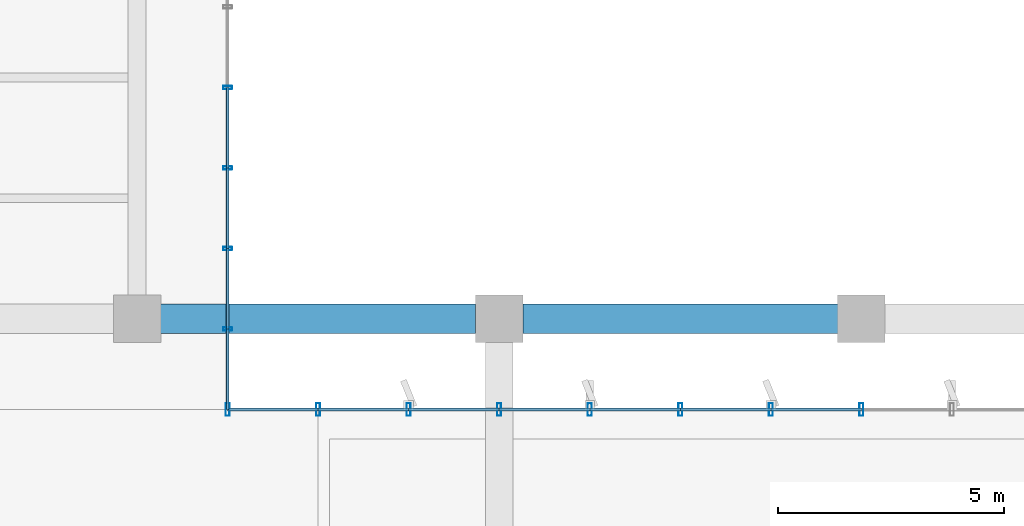
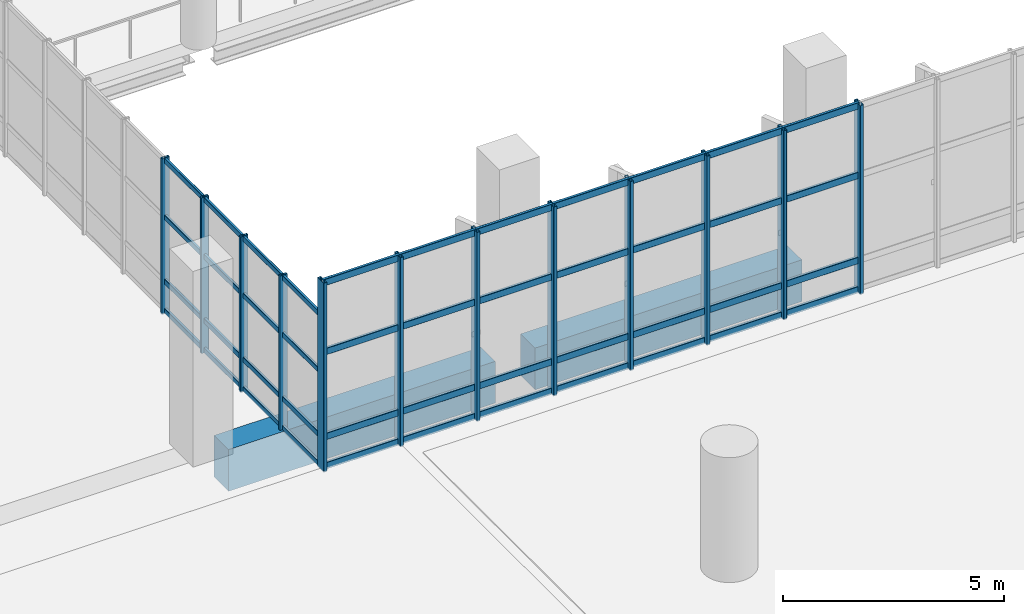
# One storey, part 52 of 176: 56 members, 2 beams, 3 elements without a shape of their own.
"""IFC4 building model written with IfcOpenShell, lengths in metres."""

from ifc_helpers import new_model, si_unit, direction, frame, origin, origin_2d, place, context, subcontext, project, spatial, rectangle, hollow_rectangle, extrude, material, layer, layer_set, material_profile, profile_set, type_object, element, aggregate, save


model = new_model("IFC4")

# Units and contexts
model_context = context("Model", 3, precision=1e-05, world=origin(), true_north=direction((0.0, 1.0)))
body_context = subcontext(model_context, "Body", "Model", "MODEL_VIEW")
ifc_project = project(units=[si_unit("LENGTHUNIT", "METRE"), si_unit("AREAUNIT", "SQUARE_METRE"), si_unit("VOLUMEUNIT", "CUBIC_METRE"), si_unit("PLANEANGLEUNIT", "RADIAN"), si_unit("MASSUNIT", "GRAM", prefix="KILO")], contexts=[model_context])

# Site, building, storey
site_placement = place(None, origin())
site = spatial("IfcSite", under=ifc_project, at=site_placement, CompositionType="ELEMENT")
building_placement = place(site_placement, origin())
building = spatial("IfcBuilding", under=site, at=building_placement, Name="Khorjan Park Terminus", CompositionType="ELEMENT")
storey_placement = place(building_placement, frame((0.0, 0.0, 6.0)))
storey = spatial("IfcBuildingStorey", under=building, at=storey_placement, Name="L01", CompositionType="ELEMENT", Elevation=6.0)

# Curtain wall, members
ifc_material_1 = material(Name="Anodized Bronze Aluminium", Category="aluminium")
ifc_layer_1 = layer(ifc_material_1, 0.22)
ifc_layer_set_1 = layer_set([ifc_layer_1], Name="Anodized Bronze Aluminium")
curtain_wall_type_1 = type_object("IfcCurtainWallType", Name="CW-BRG-D", PredefinedType="NOTDEFINED", material=ifc_layer_set_1)
curtain_wall_1_placement = place(storey_placement, origin())
curtain_wall_1 = element("IfcCurtainWall", 1, at=curtain_wall_1_placement, inside=storey, type_object=curtain_wall_type_1, Name="Unitized curtain wall CW-D (CW-NKW-E-L01)", PredefinedType="NOTDEFINED")
ifc_material_profile_1 = material_profile(ifc_material_1, hollow_rectangle(XDim=0.07, YDim=0.2, WallThickness=0.005, InnerFilletRadius=0.005, OuterFilletRadius=0.01, at=origin_2d()), Name="ALM 70x200x5")
ifc_profile_set_1 = profile_set([ifc_material_profile_1], Name="Anodized Bronze Aluminium")
member_type_1 = type_object("IfcMemberType", Name="ML-ALM-200", PredefinedType="MULLION", material=ifc_profile_set_1)
member_1_placement = place(storey_placement, frame((74.0, 87.7778, -0.035), z_axis=(0.0, 0.0, 1.0), x_axis=(0.0, 1.0, 0.0)))
member_1 = element("IfcMember", 2, at=member_1_placement, type_object=member_type_1, Name="Curtain-wall mullion ML-20 (CW-NKW-E-L01-1)", PredefinedType="MULLION", context=body_context, shape_type="SweptSolid", body=[
    extrude(hollow_rectangle(XDim=0.07, YDim=0.2, WallThickness=0.005, InnerFilletRadius=0.005, OuterFilletRadius=0.01, at=origin_2d()), origin(), (0.0, 0.0, 1.0), 4.295),
])
member_2_placement = place(storey_placement, frame((74.0, 89.5556, -0.035), z_axis=(0.0, 0.0, 1.0), x_axis=(0.0, 1.0, 0.0)))
member_2 = element("IfcMember", 3, at=member_2_placement, type_object=member_type_1, Name="Curtain-wall mullion ML-20 (CW-NKW-E-L01-2)", PredefinedType="MULLION", context=body_context, shape_type="SweptSolid", body=[
    extrude(hollow_rectangle(XDim=0.07, YDim=0.2, WallThickness=0.005, InnerFilletRadius=0.005, OuterFilletRadius=0.01, at=origin_2d()), origin(), (0.0, 0.0, 1.0), 4.295),
])
member_3_placement = place(storey_placement, frame((74.0, 91.3333, -0.035), z_axis=(0.0, 0.0, 1.0), x_axis=(0.0, 1.0, 0.0)))
member_3 = element("IfcMember", 4, at=member_3_placement, type_object=member_type_1, Name="Curtain-wall mullion ML-20 (CW-NKW-E-L01-3)", PredefinedType="MULLION", context=body_context, shape_type="SweptSolid", body=[
    extrude(hollow_rectangle(XDim=0.07, YDim=0.2, WallThickness=0.005, InnerFilletRadius=0.005, OuterFilletRadius=0.01, at=origin_2d()), origin(), (0.0, 0.0, 1.0), 4.295),
])
member_4_placement = place(storey_placement, frame((74.0, 93.1111, -0.035), z_axis=(0.0, 0.0, 1.0), x_axis=(0.0, 1.0, 0.0)))
member_4 = element("IfcMember", 5, at=member_4_placement, type_object=member_type_1, Name="Curtain-wall mullion ML-20 (CW-NKW-E-L01-4)", PredefinedType="MULLION", context=body_context, shape_type="SweptSolid", body=[
    extrude(hollow_rectangle(XDim=0.07, YDim=0.2, WallThickness=0.005, InnerFilletRadius=0.005, OuterFilletRadius=0.01, at=origin_2d()), origin(), (0.0, 0.0, 1.0), 4.295),
])

ifc_layer_2 = layer(ifc_material_1, 0.22)
ifc_layer_set_2 = layer_set([ifc_layer_2], Name="Anodized Bronze Aluminium")
curtain_wall_type_2 = type_object("IfcCurtainWallType", Name="CW-CONC-A", PredefinedType="NOTDEFINED", material=ifc_layer_set_2)
curtain_wall_2_placement = place(storey_placement, origin())
curtain_wall_2 = element("IfcCurtainWall", 6, at=curtain_wall_2_placement, inside=storey, type_object=curtain_wall_type_2, Name="Unitized curtain wall CW-A (CW-V2-N-L01-03)", PredefinedType="NOTDEFINED")
ifc_material_profile_2 = material_profile(ifc_material_1, hollow_rectangle(XDim=0.09, YDim=0.28, WallThickness=0.006, InnerFilletRadius=0.006, OuterFilletRadius=0.012, at=origin_2d()), Name="ALM 90x280x6")
ifc_profile_set_2 = profile_set([ifc_material_profile_2], Name="Anodized Bronze Aluminium")
member_type_2 = type_object("IfcMemberType", Name="ML-ALM-280", PredefinedType="MULLION", material=ifc_profile_set_2)
member_5_placement = place(storey_placement, frame((84.0, 86.0, -0.035), z_axis=(0.0, 0.0, 1.0), x_axis=(-1.0, 0.0, 0.0)))
member_5 = element("IfcMember", 7, at=member_5_placement, type_object=member_type_2, Name="Curtain-wall mullion ML-28 (CW-V2-N-L01-03-0)", PredefinedType="MULLION", context=body_context, shape_type="SweptSolid", body=[
    extrude(hollow_rectangle(XDim=0.09, YDim=0.28, WallThickness=0.006, InnerFilletRadius=0.006, OuterFilletRadius=0.012, at=origin_2d()), origin(), (0.0, 0.0, 1.0), 5.22),
])
member_6_placement = place(storey_placement, frame((82.0, 86.0, -0.035), z_axis=(0.0, 0.0, 1.0), x_axis=(-1.0, 0.0, 0.0)))
member_6 = element("IfcMember", 8, at=member_6_placement, type_object=member_type_2, Name="Curtain-wall mullion ML-28 (CW-V2-N-L01-03-1)", PredefinedType="MULLION", context=body_context, shape_type="SweptSolid", body=[
    extrude(hollow_rectangle(XDim=0.09, YDim=0.28, WallThickness=0.006, InnerFilletRadius=0.006, OuterFilletRadius=0.012, at=origin_2d()), origin(), (0.0, 0.0, 1.0), 5.22),
])
member_7_placement = place(storey_placement, frame((80.0, 86.0, -0.035), z_axis=(0.0, 0.0, 1.0), x_axis=(-1.0, 0.0, 0.0)))
member_7 = element("IfcMember", 9, at=member_7_placement, type_object=member_type_2, Name="Curtain-wall mullion ML-28 (CW-V2-N-L01-03-2)", PredefinedType="MULLION", context=body_context, shape_type="SweptSolid", body=[
    extrude(hollow_rectangle(XDim=0.09, YDim=0.28, WallThickness=0.006, InnerFilletRadius=0.006, OuterFilletRadius=0.012, at=origin_2d()), origin(), (0.0, 0.0, 1.0), 5.22),
])
member_8_placement = place(storey_placement, frame((78.0, 86.0, -0.035), z_axis=(0.0, 0.0, 1.0), x_axis=(-1.0, 0.0, 0.0)))
member_8 = element("IfcMember", 10, at=member_8_placement, type_object=member_type_2, Name="Curtain-wall mullion ML-28 (CW-V2-N-L01-03-3)", PredefinedType="MULLION", context=body_context, shape_type="SweptSolid", body=[
    extrude(hollow_rectangle(XDim=0.09, YDim=0.28, WallThickness=0.006, InnerFilletRadius=0.006, OuterFilletRadius=0.012, at=origin_2d()), origin(), (0.0, 0.0, 1.0), 5.22),
])
member_9_placement = place(storey_placement, frame((76.0, 86.0, -0.035), z_axis=(0.0, 0.0, 1.0), x_axis=(-1.0, 0.0, 0.0)))
member_9 = element("IfcMember", 11, at=member_9_placement, type_object=member_type_2, Name="Curtain-wall mullion ML-28 (CW-V2-N-L01-03-4)", PredefinedType="MULLION", context=body_context, shape_type="SweptSolid", body=[
    extrude(hollow_rectangle(XDim=0.09, YDim=0.28, WallThickness=0.006, InnerFilletRadius=0.006, OuterFilletRadius=0.012, at=origin_2d()), origin(), (0.0, 0.0, 1.0), 5.22),
])
member_10_placement = place(storey_placement, frame((74.0, 86.0, -0.035), z_axis=(0.0, 0.0, 1.0), x_axis=(-1.0, 0.0, 0.0)))
member_10 = element("IfcMember", 12, at=member_10_placement, type_object=member_type_2, Name="Curtain-wall mullion ML-28 (CW-V2-N-L01-03-5)", PredefinedType="MULLION", context=body_context, shape_type="SweptSolid", body=[
    extrude(hollow_rectangle(XDim=0.09, YDim=0.28, WallThickness=0.006, InnerFilletRadius=0.006, OuterFilletRadius=0.012, at=origin_2d()), origin(), (0.0, 0.0, 1.0), 5.22),
])

curtain_wall_3_placement = place(storey_placement, origin())
curtain_wall_3 = element("IfcCurtainWall", 13, at=curtain_wall_3_placement, inside=storey, type_object=curtain_wall_type_2, Name="Unitized curtain wall CW-A (CW-V2-N-L01-04)", PredefinedType="NOTDEFINED")
member_11_placement = place(storey_placement, frame((88.0, 86.0, -0.035), z_axis=(0.0, 0.0, 1.0), x_axis=(-1.0, 0.0, 0.0)))
member_11 = element("IfcMember", 14, at=member_11_placement, type_object=member_type_2, Name="Curtain-wall mullion ML-28 (CW-V2-N-L01-04-2)", PredefinedType="MULLION", context=body_context, shape_type="SweptSolid", body=[
    extrude(hollow_rectangle(XDim=0.09, YDim=0.28, WallThickness=0.006, InnerFilletRadius=0.006, OuterFilletRadius=0.012, at=origin_2d()), origin(), (0.0, 0.0, 1.0), 5.22),
])
member_12_placement = place(storey_placement, frame((86.0, 86.0, -0.035), z_axis=(0.0, 0.0, 1.0), x_axis=(-1.0, 0.0, 0.0)))
member_12 = element("IfcMember", 15, at=member_12_placement, type_object=member_type_2, Name="Curtain-wall mullion ML-28 (CW-V2-N-L01-04-3)", PredefinedType="MULLION", context=body_context, shape_type="SweptSolid", body=[
    extrude(hollow_rectangle(XDim=0.09, YDim=0.28, WallThickness=0.006, InnerFilletRadius=0.006, OuterFilletRadius=0.012, at=origin_2d()), origin(), (0.0, 0.0, 1.0), 5.22),
])

# Beams
ifc_material_2 = material(Name="Concrete C50/60", Category="concrete")
ifc_material_profile_3 = material_profile(ifc_material_2, rectangle(XDim=0.65, YDim=1.15, at=origin_2d()), Name="RC 650x1150")
ifc_profile_set_3 = profile_set([ifc_material_profile_3], Name="Concrete C50/60")
beam_type = type_object("IfcBeamType", Name="SP-RC650x1150", PredefinedType="SPANDREL", material=ifc_profile_set_3)
for number, where, z_axis, x_axis, name in (
    (16, (72.52, 88.0, -0.575), (1.0, 0.0, 0.0), (0.0, 1.0, 0.0), "Concourse lower colonnade ring beam SP-11 (L01-8)"),
    (17, (80.52, 88.0, -0.575), (1.0, 0.0, 0.0), (0.0, 1.0, 0.0), "Concourse lower colonnade ring beam SP-11 (L01-10)"),
):
    element("IfcBeam", number, at=place(storey_placement, frame(where, z_axis=z_axis, x_axis=x_axis)), inside=storey, type_object=beam_type, Name=name, PredefinedType="SPANDREL", context=body_context, shape_type="SweptSolid", body=[
        extrude(rectangle(XDim=0.65, YDim=1.15, at=origin_2d()), origin(), (0.0, 0.0, 1.0), 6.96),
    ])

# Member
ifc_material_profile_4 = material_profile(ifc_material_1, hollow_rectangle(XDim=0.065, YDim=0.14, WallThickness=0.004, InnerFilletRadius=0.004, OuterFilletRadius=0.008, at=origin_2d()), Name="ALT 65x140x4")
ifc_profile_set_4 = profile_set([ifc_material_profile_4], Name="Anodized Bronze Aluminium")
member_type_3 = type_object("IfcMemberType", Name="TR-ALT-140", PredefinedType="USERDEFINED", material=ifc_profile_set_4)
member_13_placement = place(storey_placement, frame((74.0, 86.0, 0.04), z_axis=(0.0, 1.0, 0.0), x_axis=(-1.0, 0.0, 0.0)))
member_13 = element("IfcMember", 18, at=member_13_placement, type_object=member_type_3, Name="Curtain-wall transom TR-14 (CW-NKW-E-L01-0-1)", ObjectType="TRANSOM", PredefinedType="USERDEFINED", context=body_context, shape_type="SweptSolid", body=[
    extrude(hollow_rectangle(XDim=0.065, YDim=0.14, WallThickness=0.004, InnerFilletRadius=0.004, OuterFilletRadius=0.008, at=origin_2d()), origin(), (0.0, 0.0, 1.0), 1.7778),
])

member_14_placement = place(storey_placement, frame((74.0, 86.0, 0.85), z_axis=(0.0, 1.0, 0.0), x_axis=(-1.0, 0.0, 0.0)))
member_14 = element("IfcMember", 19, at=member_14_placement, type_object=member_type_3, Name="Curtain-wall transom TR-14 (CW-NKW-E-L01-0-2)", ObjectType="TRANSOM", PredefinedType="USERDEFINED", context=body_context, shape_type="SweptSolid", body=[
    extrude(hollow_rectangle(XDim=0.065, YDim=0.14, WallThickness=0.004, InnerFilletRadius=0.004, OuterFilletRadius=0.008, at=origin_2d()), origin(), (0.0, 0.0, 1.0), 1.7778),
])

member_15_placement = place(storey_placement, frame((74.0, 86.0, 2.6195), z_axis=(0.0, 1.0, 0.0), x_axis=(-1.0, 0.0, 0.0)))
member_15 = element("IfcMember", 20, at=member_15_placement, type_object=member_type_3, Name="Curtain-wall transom TR-14 (CW-NKW-E-L01-0-3)", ObjectType="TRANSOM", PredefinedType="USERDEFINED", context=body_context, shape_type="SweptSolid", body=[
    extrude(hollow_rectangle(XDim=0.065, YDim=0.14, WallThickness=0.004, InnerFilletRadius=0.004, OuterFilletRadius=0.008, at=origin_2d()), origin(), (0.0, 0.0, 1.0), 1.7778),
])

member_16_placement = place(storey_placement, frame((74.0, 86.0, 4.185), z_axis=(0.0, 1.0, 0.0), x_axis=(-1.0, 0.0, 0.0)))
member_16 = element("IfcMember", 21, at=member_16_placement, type_object=member_type_3, Name="Curtain-wall transom TR-14 (CW-NKW-E-L01-0-4)", ObjectType="TRANSOM", PredefinedType="USERDEFINED", context=body_context, shape_type="SweptSolid", body=[
    extrude(hollow_rectangle(XDim=0.065, YDim=0.14, WallThickness=0.004, InnerFilletRadius=0.004, OuterFilletRadius=0.008, at=origin_2d()), origin(), (0.0, 0.0, 1.0), 1.7778),
])

member_17_placement = place(storey_placement, frame((74.0, 87.7778, 0.04), z_axis=(0.0, 1.0, 0.0), x_axis=(-1.0, 0.0, 0.0)))
member_17 = element("IfcMember", 22, at=member_17_placement, type_object=member_type_3, Name="Curtain-wall transom TR-14 (CW-NKW-E-L01-1-1)", ObjectType="TRANSOM", PredefinedType="USERDEFINED", context=body_context, shape_type="SweptSolid", body=[
    extrude(hollow_rectangle(XDim=0.065, YDim=0.14, WallThickness=0.004, InnerFilletRadius=0.004, OuterFilletRadius=0.008, at=origin_2d()), origin(), (0.0, 0.0, 1.0), 1.7778),
])

member_18_placement = place(storey_placement, frame((74.0, 87.7778, 0.85), z_axis=(0.0, 1.0, 0.0), x_axis=(-1.0, 0.0, 0.0)))
member_18 = element("IfcMember", 23, at=member_18_placement, type_object=member_type_3, Name="Curtain-wall transom TR-14 (CW-NKW-E-L01-1-2)", ObjectType="TRANSOM", PredefinedType="USERDEFINED", context=body_context, shape_type="SweptSolid", body=[
    extrude(hollow_rectangle(XDim=0.065, YDim=0.14, WallThickness=0.004, InnerFilletRadius=0.004, OuterFilletRadius=0.008, at=origin_2d()), origin(), (0.0, 0.0, 1.0), 1.7778),
])

member_19_placement = place(storey_placement, frame((74.0, 87.7778, 2.6195), z_axis=(0.0, 1.0, 0.0), x_axis=(-1.0, 0.0, 0.0)))
member_19 = element("IfcMember", 24, at=member_19_placement, type_object=member_type_3, Name="Curtain-wall transom TR-14 (CW-NKW-E-L01-1-3)", ObjectType="TRANSOM", PredefinedType="USERDEFINED", context=body_context, shape_type="SweptSolid", body=[
    extrude(hollow_rectangle(XDim=0.065, YDim=0.14, WallThickness=0.004, InnerFilletRadius=0.004, OuterFilletRadius=0.008, at=origin_2d()), origin(), (0.0, 0.0, 1.0), 1.7778),
])

member_20_placement = place(storey_placement, frame((74.0, 87.7778, 4.185), z_axis=(0.0, 1.0, 0.0), x_axis=(-1.0, 0.0, 0.0)))
member_20 = element("IfcMember", 25, at=member_20_placement, type_object=member_type_3, Name="Curtain-wall transom TR-14 (CW-NKW-E-L01-1-4)", ObjectType="TRANSOM", PredefinedType="USERDEFINED", context=body_context, shape_type="SweptSolid", body=[
    extrude(hollow_rectangle(XDim=0.065, YDim=0.14, WallThickness=0.004, InnerFilletRadius=0.004, OuterFilletRadius=0.008, at=origin_2d()), origin(), (0.0, 0.0, 1.0), 1.7778),
])

member_21_placement = place(storey_placement, frame((74.0, 89.5556, 0.04), z_axis=(0.0, 1.0, 0.0), x_axis=(-1.0, 0.0, 0.0)))
member_21 = element("IfcMember", 26, at=member_21_placement, type_object=member_type_3, Name="Curtain-wall transom TR-14 (CW-NKW-E-L01-2-1)", ObjectType="TRANSOM", PredefinedType="USERDEFINED", context=body_context, shape_type="SweptSolid", body=[
    extrude(hollow_rectangle(XDim=0.065, YDim=0.14, WallThickness=0.004, InnerFilletRadius=0.004, OuterFilletRadius=0.008, at=origin_2d()), origin(), (0.0, 0.0, 1.0), 1.7777),
])

member_22_placement = place(storey_placement, frame((74.0, 89.5556, 0.85), z_axis=(0.0, 1.0, 0.0), x_axis=(-1.0, 0.0, 0.0)))
member_22 = element("IfcMember", 27, at=member_22_placement, type_object=member_type_3, Name="Curtain-wall transom TR-14 (CW-NKW-E-L01-2-2)", ObjectType="TRANSOM", PredefinedType="USERDEFINED", context=body_context, shape_type="SweptSolid", body=[
    extrude(hollow_rectangle(XDim=0.065, YDim=0.14, WallThickness=0.004, InnerFilletRadius=0.004, OuterFilletRadius=0.008, at=origin_2d()), origin(), (0.0, 0.0, 1.0), 1.7777),
])

member_23_placement = place(storey_placement, frame((74.0, 89.5556, 2.6195), z_axis=(0.0, 1.0, 0.0), x_axis=(-1.0, 0.0, 0.0)))
member_23 = element("IfcMember", 28, at=member_23_placement, type_object=member_type_3, Name="Curtain-wall transom TR-14 (CW-NKW-E-L01-2-3)", ObjectType="TRANSOM", PredefinedType="USERDEFINED", context=body_context, shape_type="SweptSolid", body=[
    extrude(hollow_rectangle(XDim=0.065, YDim=0.14, WallThickness=0.004, InnerFilletRadius=0.004, OuterFilletRadius=0.008, at=origin_2d()), origin(), (0.0, 0.0, 1.0), 1.7777),
])

member_24_placement = place(storey_placement, frame((74.0, 89.5556, 4.185), z_axis=(0.0, 1.0, 0.0), x_axis=(-1.0, 0.0, 0.0)))
member_24 = element("IfcMember", 29, at=member_24_placement, type_object=member_type_3, Name="Curtain-wall transom TR-14 (CW-NKW-E-L01-2-4)", ObjectType="TRANSOM", PredefinedType="USERDEFINED", context=body_context, shape_type="SweptSolid", body=[
    extrude(hollow_rectangle(XDim=0.065, YDim=0.14, WallThickness=0.004, InnerFilletRadius=0.004, OuterFilletRadius=0.008, at=origin_2d()), origin(), (0.0, 0.0, 1.0), 1.7777),
])

member_25_placement = place(storey_placement, frame((74.0, 91.3333, 0.04), z_axis=(0.0, 1.0, 0.0), x_axis=(-1.0, 0.0, 0.0)))
member_25 = element("IfcMember", 30, at=member_25_placement, type_object=member_type_3, Name="Curtain-wall transom TR-14 (CW-NKW-E-L01-3-1)", ObjectType="TRANSOM", PredefinedType="USERDEFINED", context=body_context, shape_type="SweptSolid", body=[
    extrude(hollow_rectangle(XDim=0.065, YDim=0.14, WallThickness=0.004, InnerFilletRadius=0.004, OuterFilletRadius=0.008, at=origin_2d()), origin(), (0.0, 0.0, 1.0), 1.7778),
])

member_26_placement = place(storey_placement, frame((74.0, 91.3333, 0.85), z_axis=(0.0, 1.0, 0.0), x_axis=(-1.0, 0.0, 0.0)))
member_26 = element("IfcMember", 31, at=member_26_placement, type_object=member_type_3, Name="Curtain-wall transom TR-14 (CW-NKW-E-L01-3-2)", ObjectType="TRANSOM", PredefinedType="USERDEFINED", context=body_context, shape_type="SweptSolid", body=[
    extrude(hollow_rectangle(XDim=0.065, YDim=0.14, WallThickness=0.004, InnerFilletRadius=0.004, OuterFilletRadius=0.008, at=origin_2d()), origin(), (0.0, 0.0, 1.0), 1.7778),
])

member_27_placement = place(storey_placement, frame((74.0, 91.3333, 2.6195), z_axis=(0.0, 1.0, 0.0), x_axis=(-1.0, 0.0, 0.0)))
member_27 = element("IfcMember", 32, at=member_27_placement, type_object=member_type_3, Name="Curtain-wall transom TR-14 (CW-NKW-E-L01-3-3)", ObjectType="TRANSOM", PredefinedType="USERDEFINED", context=body_context, shape_type="SweptSolid", body=[
    extrude(hollow_rectangle(XDim=0.065, YDim=0.14, WallThickness=0.004, InnerFilletRadius=0.004, OuterFilletRadius=0.008, at=origin_2d()), origin(), (0.0, 0.0, 1.0), 1.7778),
])

member_28_placement = place(storey_placement, frame((74.0, 91.3333, 4.185), z_axis=(0.0, 1.0, 0.0), x_axis=(-1.0, 0.0, 0.0)))
member_28 = element("IfcMember", 33, at=member_28_placement, type_object=member_type_3, Name="Curtain-wall transom TR-14 (CW-NKW-E-L01-3-4)", ObjectType="TRANSOM", PredefinedType="USERDEFINED", context=body_context, shape_type="SweptSolid", body=[
    extrude(hollow_rectangle(XDim=0.065, YDim=0.14, WallThickness=0.004, InnerFilletRadius=0.004, OuterFilletRadius=0.008, at=origin_2d()), origin(), (0.0, 0.0, 1.0), 1.7778),
])

aggregate(curtain_wall_1, [member_1, member_2, member_3, member_4, member_13, member_14, member_15, member_16, member_17, member_18, member_19, member_20, member_21, member_22, member_23, member_24, member_25, member_26, member_27, member_28])

ifc_material_profile_5 = material_profile(ifc_material_1, hollow_rectangle(XDim=0.075, YDim=0.185, WallThickness=0.005, InnerFilletRadius=0.005, OuterFilletRadius=0.01, at=origin_2d()), Name="ALT 75x185x5")
ifc_profile_set_5 = profile_set([ifc_material_profile_5], Name="Anodized Bronze Aluminium")
member_type_4 = type_object("IfcMemberType", Name="TR-ALT-185", PredefinedType="USERDEFINED", material=ifc_profile_set_5)
member_29_placement = place(storey_placement, frame((84.0, 86.0, 0.04), z_axis=(-1.0, 0.0, 0.0), x_axis=(0.0, -1.0, 0.0)))
member_29 = element("IfcMember", 34, at=member_29_placement, type_object=member_type_4, Name="Curtain-wall transom TR-18 (CW-V2-N-L01-03-0-1)", ObjectType="TRANSOM", PredefinedType="USERDEFINED", context=body_context, shape_type="SweptSolid", body=[
    extrude(hollow_rectangle(XDim=0.075, YDim=0.185, WallThickness=0.005, InnerFilletRadius=0.005, OuterFilletRadius=0.01, at=origin_2d()), origin(), (0.0, 0.0, 1.0), 2.0),
])

member_30_placement = place(storey_placement, frame((84.0, 86.0, 0.85), z_axis=(-1.0, 0.0, 0.0), x_axis=(0.0, -1.0, 0.0)))
member_30 = element("IfcMember", 35, at=member_30_placement, type_object=member_type_4, Name="Curtain-wall transom TR-18 (CW-V2-N-L01-03-0-2)", ObjectType="TRANSOM", PredefinedType="USERDEFINED", context=body_context, shape_type="SweptSolid", body=[
    extrude(hollow_rectangle(XDim=0.075, YDim=0.185, WallThickness=0.005, InnerFilletRadius=0.005, OuterFilletRadius=0.01, at=origin_2d()), origin(), (0.0, 0.0, 1.0), 2.0),
])

member_31_placement = place(storey_placement, frame((84.0, 86.0, 3.193), z_axis=(-1.0, 0.0, 0.0), x_axis=(0.0, -1.0, 0.0)))
member_31 = element("IfcMember", 36, at=member_31_placement, type_object=member_type_4, Name="Curtain-wall transom TR-18 (CW-V2-N-L01-03-0-3)", ObjectType="TRANSOM", PredefinedType="USERDEFINED", context=body_context, shape_type="SweptSolid", body=[
    extrude(hollow_rectangle(XDim=0.075, YDim=0.185, WallThickness=0.005, InnerFilletRadius=0.005, OuterFilletRadius=0.01, at=origin_2d()), origin(), (0.0, 0.0, 1.0), 2.0),
])

member_32_placement = place(storey_placement, frame((84.0, 86.0, 5.11), z_axis=(-1.0, 0.0, 0.0), x_axis=(0.0, -1.0, 0.0)))
member_32 = element("IfcMember", 37, at=member_32_placement, type_object=member_type_4, Name="Curtain-wall transom TR-18 (CW-V2-N-L01-03-0-4)", ObjectType="TRANSOM", PredefinedType="USERDEFINED", context=body_context, shape_type="SweptSolid", body=[
    extrude(hollow_rectangle(XDim=0.075, YDim=0.185, WallThickness=0.005, InnerFilletRadius=0.005, OuterFilletRadius=0.01, at=origin_2d()), origin(), (0.0, 0.0, 1.0), 2.0),
])

member_33_placement = place(storey_placement, frame((82.0, 86.0, 0.04), z_axis=(-1.0, 0.0, 0.0), x_axis=(0.0, -1.0, 0.0)))
member_33 = element("IfcMember", 38, at=member_33_placement, type_object=member_type_4, Name="Curtain-wall transom TR-18 (CW-V2-N-L01-03-1-1)", ObjectType="TRANSOM", PredefinedType="USERDEFINED", context=body_context, shape_type="SweptSolid", body=[
    extrude(hollow_rectangle(XDim=0.075, YDim=0.185, WallThickness=0.005, InnerFilletRadius=0.005, OuterFilletRadius=0.01, at=origin_2d()), origin(), (0.0, 0.0, 1.0), 2.0),
])

member_34_placement = place(storey_placement, frame((82.0, 86.0, 0.85), z_axis=(-1.0, 0.0, 0.0), x_axis=(0.0, -1.0, 0.0)))
member_34 = element("IfcMember", 39, at=member_34_placement, type_object=member_type_4, Name="Curtain-wall transom TR-18 (CW-V2-N-L01-03-1-2)", ObjectType="TRANSOM", PredefinedType="USERDEFINED", context=body_context, shape_type="SweptSolid", body=[
    extrude(hollow_rectangle(XDim=0.075, YDim=0.185, WallThickness=0.005, InnerFilletRadius=0.005, OuterFilletRadius=0.01, at=origin_2d()), origin(), (0.0, 0.0, 1.0), 2.0),
])

member_35_placement = place(storey_placement, frame((82.0, 86.0, 3.193), z_axis=(-1.0, 0.0, 0.0), x_axis=(0.0, -1.0, 0.0)))
member_35 = element("IfcMember", 40, at=member_35_placement, type_object=member_type_4, Name="Curtain-wall transom TR-18 (CW-V2-N-L01-03-1-3)", ObjectType="TRANSOM", PredefinedType="USERDEFINED", context=body_context, shape_type="SweptSolid", body=[
    extrude(hollow_rectangle(XDim=0.075, YDim=0.185, WallThickness=0.005, InnerFilletRadius=0.005, OuterFilletRadius=0.01, at=origin_2d()), origin(), (0.0, 0.0, 1.0), 2.0),
])

member_36_placement = place(storey_placement, frame((82.0, 86.0, 5.11), z_axis=(-1.0, 0.0, 0.0), x_axis=(0.0, -1.0, 0.0)))
member_36 = element("IfcMember", 41, at=member_36_placement, type_object=member_type_4, Name="Curtain-wall transom TR-18 (CW-V2-N-L01-03-1-4)", ObjectType="TRANSOM", PredefinedType="USERDEFINED", context=body_context, shape_type="SweptSolid", body=[
    extrude(hollow_rectangle(XDim=0.075, YDim=0.185, WallThickness=0.005, InnerFilletRadius=0.005, OuterFilletRadius=0.01, at=origin_2d()), origin(), (0.0, 0.0, 1.0), 2.0),
])

member_37_placement = place(storey_placement, frame((80.0, 86.0, 0.04), z_axis=(-1.0, 0.0, 0.0), x_axis=(0.0, -1.0, 0.0)))
member_37 = element("IfcMember", 42, at=member_37_placement, type_object=member_type_4, Name="Curtain-wall transom TR-18 (CW-V2-N-L01-03-2-1)", ObjectType="TRANSOM", PredefinedType="USERDEFINED", context=body_context, shape_type="SweptSolid", body=[
    extrude(hollow_rectangle(XDim=0.075, YDim=0.185, WallThickness=0.005, InnerFilletRadius=0.005, OuterFilletRadius=0.01, at=origin_2d()), origin(), (0.0, 0.0, 1.0), 2.0),
])

member_38_placement = place(storey_placement, frame((80.0, 86.0, 0.85), z_axis=(-1.0, 0.0, 0.0), x_axis=(0.0, -1.0, 0.0)))
member_38 = element("IfcMember", 43, at=member_38_placement, type_object=member_type_4, Name="Curtain-wall transom TR-18 (CW-V2-N-L01-03-2-2)", ObjectType="TRANSOM", PredefinedType="USERDEFINED", context=body_context, shape_type="SweptSolid", body=[
    extrude(hollow_rectangle(XDim=0.075, YDim=0.185, WallThickness=0.005, InnerFilletRadius=0.005, OuterFilletRadius=0.01, at=origin_2d()), origin(), (0.0, 0.0, 1.0), 2.0),
])

member_39_placement = place(storey_placement, frame((80.0, 86.0, 3.193), z_axis=(-1.0, 0.0, 0.0), x_axis=(0.0, -1.0, 0.0)))
member_39 = element("IfcMember", 44, at=member_39_placement, type_object=member_type_4, Name="Curtain-wall transom TR-18 (CW-V2-N-L01-03-2-3)", ObjectType="TRANSOM", PredefinedType="USERDEFINED", context=body_context, shape_type="SweptSolid", body=[
    extrude(hollow_rectangle(XDim=0.075, YDim=0.185, WallThickness=0.005, InnerFilletRadius=0.005, OuterFilletRadius=0.01, at=origin_2d()), origin(), (0.0, 0.0, 1.0), 2.0),
])

member_40_placement = place(storey_placement, frame((80.0, 86.0, 5.11), z_axis=(-1.0, 0.0, 0.0), x_axis=(0.0, -1.0, 0.0)))
member_40 = element("IfcMember", 45, at=member_40_placement, type_object=member_type_4, Name="Curtain-wall transom TR-18 (CW-V2-N-L01-03-2-4)", ObjectType="TRANSOM", PredefinedType="USERDEFINED", context=body_context, shape_type="SweptSolid", body=[
    extrude(hollow_rectangle(XDim=0.075, YDim=0.185, WallThickness=0.005, InnerFilletRadius=0.005, OuterFilletRadius=0.01, at=origin_2d()), origin(), (0.0, 0.0, 1.0), 2.0),
])

member_41_placement = place(storey_placement, frame((78.0, 86.0, 0.04), z_axis=(-1.0, 0.0, 0.0), x_axis=(0.0, -1.0, 0.0)))
member_41 = element("IfcMember", 46, at=member_41_placement, type_object=member_type_4, Name="Curtain-wall transom TR-18 (CW-V2-N-L01-03-3-1)", ObjectType="TRANSOM", PredefinedType="USERDEFINED", context=body_context, shape_type="SweptSolid", body=[
    extrude(hollow_rectangle(XDim=0.075, YDim=0.185, WallThickness=0.005, InnerFilletRadius=0.005, OuterFilletRadius=0.01, at=origin_2d()), origin(), (0.0, 0.0, 1.0), 2.0),
])

member_42_placement = place(storey_placement, frame((78.0, 86.0, 0.85), z_axis=(-1.0, 0.0, 0.0), x_axis=(0.0, -1.0, 0.0)))
member_42 = element("IfcMember", 47, at=member_42_placement, type_object=member_type_4, Name="Curtain-wall transom TR-18 (CW-V2-N-L01-03-3-2)", ObjectType="TRANSOM", PredefinedType="USERDEFINED", context=body_context, shape_type="SweptSolid", body=[
    extrude(hollow_rectangle(XDim=0.075, YDim=0.185, WallThickness=0.005, InnerFilletRadius=0.005, OuterFilletRadius=0.01, at=origin_2d()), origin(), (0.0, 0.0, 1.0), 2.0),
])

member_43_placement = place(storey_placement, frame((78.0, 86.0, 3.193), z_axis=(-1.0, 0.0, 0.0), x_axis=(0.0, -1.0, 0.0)))
member_43 = element("IfcMember", 48, at=member_43_placement, type_object=member_type_4, Name="Curtain-wall transom TR-18 (CW-V2-N-L01-03-3-3)", ObjectType="TRANSOM", PredefinedType="USERDEFINED", context=body_context, shape_type="SweptSolid", body=[
    extrude(hollow_rectangle(XDim=0.075, YDim=0.185, WallThickness=0.005, InnerFilletRadius=0.005, OuterFilletRadius=0.01, at=origin_2d()), origin(), (0.0, 0.0, 1.0), 2.0),
])

member_44_placement = place(storey_placement, frame((78.0, 86.0, 5.11), z_axis=(-1.0, 0.0, 0.0), x_axis=(0.0, -1.0, 0.0)))
member_44 = element("IfcMember", 49, at=member_44_placement, type_object=member_type_4, Name="Curtain-wall transom TR-18 (CW-V2-N-L01-03-3-4)", ObjectType="TRANSOM", PredefinedType="USERDEFINED", context=body_context, shape_type="SweptSolid", body=[
    extrude(hollow_rectangle(XDim=0.075, YDim=0.185, WallThickness=0.005, InnerFilletRadius=0.005, OuterFilletRadius=0.01, at=origin_2d()), origin(), (0.0, 0.0, 1.0), 2.0),
])

member_45_placement = place(storey_placement, frame((76.0, 86.0, 0.04), z_axis=(-1.0, 0.0, 0.0), x_axis=(0.0, -1.0, 0.0)))
member_45 = element("IfcMember", 50, at=member_45_placement, type_object=member_type_4, Name="Curtain-wall transom TR-18 (CW-V2-N-L01-03-4-1)", ObjectType="TRANSOM", PredefinedType="USERDEFINED", context=body_context, shape_type="SweptSolid", body=[
    extrude(hollow_rectangle(XDim=0.075, YDim=0.185, WallThickness=0.005, InnerFilletRadius=0.005, OuterFilletRadius=0.01, at=origin_2d()), origin(), (0.0, 0.0, 1.0), 2.0),
])

member_46_placement = place(storey_placement, frame((76.0, 86.0, 0.85), z_axis=(-1.0, 0.0, 0.0), x_axis=(0.0, -1.0, 0.0)))
member_46 = element("IfcMember", 51, at=member_46_placement, type_object=member_type_4, Name="Curtain-wall transom TR-18 (CW-V2-N-L01-03-4-2)", ObjectType="TRANSOM", PredefinedType="USERDEFINED", context=body_context, shape_type="SweptSolid", body=[
    extrude(hollow_rectangle(XDim=0.075, YDim=0.185, WallThickness=0.005, InnerFilletRadius=0.005, OuterFilletRadius=0.01, at=origin_2d()), origin(), (0.0, 0.0, 1.0), 2.0),
])

member_47_placement = place(storey_placement, frame((76.0, 86.0, 3.193), z_axis=(-1.0, 0.0, 0.0), x_axis=(0.0, -1.0, 0.0)))
member_47 = element("IfcMember", 52, at=member_47_placement, type_object=member_type_4, Name="Curtain-wall transom TR-18 (CW-V2-N-L01-03-4-3)", ObjectType="TRANSOM", PredefinedType="USERDEFINED", context=body_context, shape_type="SweptSolid", body=[
    extrude(hollow_rectangle(XDim=0.075, YDim=0.185, WallThickness=0.005, InnerFilletRadius=0.005, OuterFilletRadius=0.01, at=origin_2d()), origin(), (0.0, 0.0, 1.0), 2.0),
])

member_48_placement = place(storey_placement, frame((76.0, 86.0, 5.11), z_axis=(-1.0, 0.0, 0.0), x_axis=(0.0, -1.0, 0.0)))
member_48 = element("IfcMember", 53, at=member_48_placement, type_object=member_type_4, Name="Curtain-wall transom TR-18 (CW-V2-N-L01-03-4-4)", ObjectType="TRANSOM", PredefinedType="USERDEFINED", context=body_context, shape_type="SweptSolid", body=[
    extrude(hollow_rectangle(XDim=0.075, YDim=0.185, WallThickness=0.005, InnerFilletRadius=0.005, OuterFilletRadius=0.01, at=origin_2d()), origin(), (0.0, 0.0, 1.0), 2.0),
])

aggregate(curtain_wall_2, [member_5, member_6, member_7, member_8, member_9, member_10, member_29, member_30, member_31, member_32, member_33, member_34, member_35, member_36, member_37, member_38, member_39, member_40, member_41, member_42, member_43, member_44, member_45, member_46, member_47, member_48])

member_49_placement = place(storey_placement, frame((88.0, 86.0, 0.04), z_axis=(-1.0, 0.0, 0.0), x_axis=(0.0, -1.0, 0.0)))
member_49 = element("IfcMember", 54, at=member_49_placement, type_object=member_type_4, Name="Curtain-wall transom TR-18 (CW-V2-N-L01-04-2-1)", ObjectType="TRANSOM", PredefinedType="USERDEFINED", context=body_context, shape_type="SweptSolid", body=[
    extrude(hollow_rectangle(XDim=0.075, YDim=0.185, WallThickness=0.005, InnerFilletRadius=0.005, OuterFilletRadius=0.01, at=origin_2d()), origin(), (0.0, 0.0, 1.0), 2.0),
])

member_50_placement = place(storey_placement, frame((88.0, 86.0, 0.85), z_axis=(-1.0, 0.0, 0.0), x_axis=(0.0, -1.0, 0.0)))
member_50 = element("IfcMember", 55, at=member_50_placement, type_object=member_type_4, Name="Curtain-wall transom TR-18 (CW-V2-N-L01-04-2-2)", ObjectType="TRANSOM", PredefinedType="USERDEFINED", context=body_context, shape_type="SweptSolid", body=[
    extrude(hollow_rectangle(XDim=0.075, YDim=0.185, WallThickness=0.005, InnerFilletRadius=0.005, OuterFilletRadius=0.01, at=origin_2d()), origin(), (0.0, 0.0, 1.0), 2.0),
])

member_51_placement = place(storey_placement, frame((88.0, 86.0, 3.193), z_axis=(-1.0, 0.0, 0.0), x_axis=(0.0, -1.0, 0.0)))
member_51 = element("IfcMember", 56, at=member_51_placement, type_object=member_type_4, Name="Curtain-wall transom TR-18 (CW-V2-N-L01-04-2-3)", ObjectType="TRANSOM", PredefinedType="USERDEFINED", context=body_context, shape_type="SweptSolid", body=[
    extrude(hollow_rectangle(XDim=0.075, YDim=0.185, WallThickness=0.005, InnerFilletRadius=0.005, OuterFilletRadius=0.01, at=origin_2d()), origin(), (0.0, 0.0, 1.0), 2.0),
])

member_52_placement = place(storey_placement, frame((88.0, 86.0, 5.11), z_axis=(-1.0, 0.0, 0.0), x_axis=(0.0, -1.0, 0.0)))
member_52 = element("IfcMember", 57, at=member_52_placement, type_object=member_type_4, Name="Curtain-wall transom TR-18 (CW-V2-N-L01-04-2-4)", ObjectType="TRANSOM", PredefinedType="USERDEFINED", context=body_context, shape_type="SweptSolid", body=[
    extrude(hollow_rectangle(XDim=0.075, YDim=0.185, WallThickness=0.005, InnerFilletRadius=0.005, OuterFilletRadius=0.01, at=origin_2d()), origin(), (0.0, 0.0, 1.0), 2.0),
])

member_53_placement = place(storey_placement, frame((86.0, 86.0, 0.04), z_axis=(-1.0, 0.0, 0.0), x_axis=(0.0, -1.0, 0.0)))
member_53 = element("IfcMember", 58, at=member_53_placement, type_object=member_type_4, Name="Curtain-wall transom TR-18 (CW-V2-N-L01-04-3-1)", ObjectType="TRANSOM", PredefinedType="USERDEFINED", context=body_context, shape_type="SweptSolid", body=[
    extrude(hollow_rectangle(XDim=0.075, YDim=0.185, WallThickness=0.005, InnerFilletRadius=0.005, OuterFilletRadius=0.01, at=origin_2d()), origin(), (0.0, 0.0, 1.0), 2.0),
])

member_54_placement = place(storey_placement, frame((86.0, 86.0, 0.85), z_axis=(-1.0, 0.0, 0.0), x_axis=(0.0, -1.0, 0.0)))
member_54 = element("IfcMember", 59, at=member_54_placement, type_object=member_type_4, Name="Curtain-wall transom TR-18 (CW-V2-N-L01-04-3-2)", ObjectType="TRANSOM", PredefinedType="USERDEFINED", context=body_context, shape_type="SweptSolid", body=[
    extrude(hollow_rectangle(XDim=0.075, YDim=0.185, WallThickness=0.005, InnerFilletRadius=0.005, OuterFilletRadius=0.01, at=origin_2d()), origin(), (0.0, 0.0, 1.0), 2.0),
])

member_55_placement = place(storey_placement, frame((86.0, 86.0, 3.193), z_axis=(-1.0, 0.0, 0.0), x_axis=(0.0, -1.0, 0.0)))
member_55 = element("IfcMember", 60, at=member_55_placement, type_object=member_type_4, Name="Curtain-wall transom TR-18 (CW-V2-N-L01-04-3-3)", ObjectType="TRANSOM", PredefinedType="USERDEFINED", context=body_context, shape_type="SweptSolid", body=[
    extrude(hollow_rectangle(XDim=0.075, YDim=0.185, WallThickness=0.005, InnerFilletRadius=0.005, OuterFilletRadius=0.01, at=origin_2d()), origin(), (0.0, 0.0, 1.0), 2.0),
])

member_56_placement = place(storey_placement, frame((86.0, 86.0, 5.11), z_axis=(-1.0, 0.0, 0.0), x_axis=(0.0, -1.0, 0.0)))
member_56 = element("IfcMember", 61, at=member_56_placement, type_object=member_type_4, Name="Curtain-wall transom TR-18 (CW-V2-N-L01-04-3-4)", ObjectType="TRANSOM", PredefinedType="USERDEFINED", context=body_context, shape_type="SweptSolid", body=[
    extrude(hollow_rectangle(XDim=0.075, YDim=0.185, WallThickness=0.005, InnerFilletRadius=0.005, OuterFilletRadius=0.01, at=origin_2d()), origin(), (0.0, 0.0, 1.0), 2.0),
])

aggregate(curtain_wall_3, [member_11, member_12, member_49, member_50, member_51, member_52, member_53, member_54, member_55, member_56])

save(model, "model.ifc")
